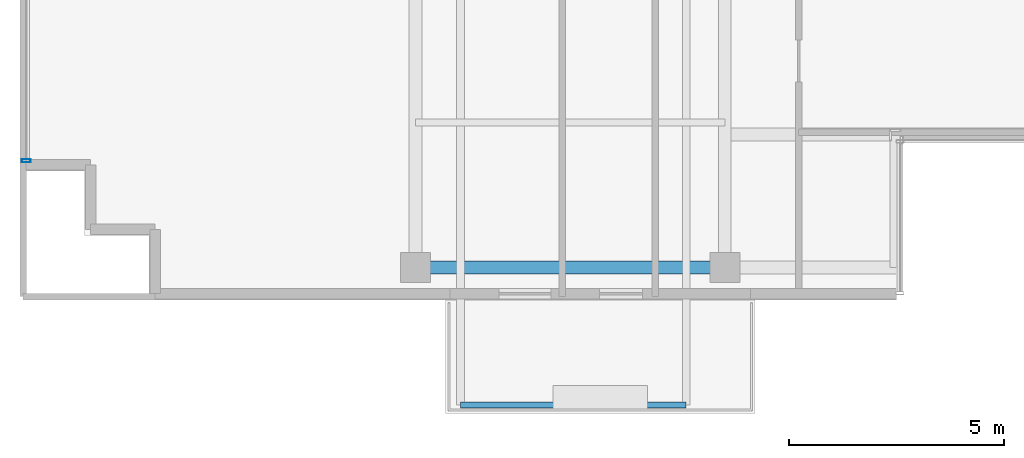
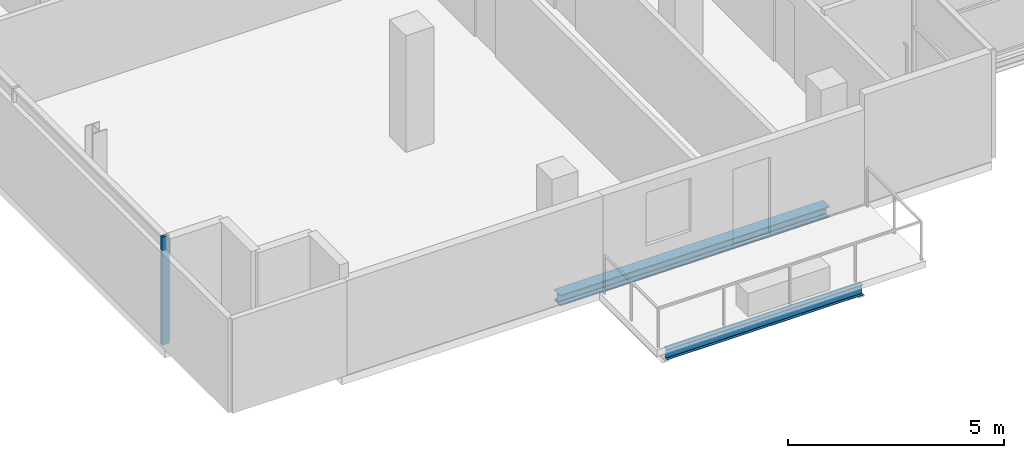
# One storey, part 2 of 22: 2 beams, 1 member, 1 element without a shape of its own.
"""IFC4 building model written with IfcOpenShell, lengths in metres."""

from ifc_helpers import new_model, si_unit, direction, frame, origin, origin_2d, place, context, subcontext, project, spatial, hollow_rectangle, i_section, extrude, source, transform, mapped, material, layer, layer_set, material_profile, profile_set, type_object, element, aggregate, save


model = new_model("IFC4")

# Units and contexts
model_context = context("Model", 3, precision=1e-05, world=origin(), true_north=direction((0.0, 1.0)))
body_context = subcontext(model_context, "Body", "Model", "MODEL_VIEW")
ifc_project = project(units=[si_unit("LENGTHUNIT", "METRE"), si_unit("AREAUNIT", "SQUARE_METRE"), si_unit("VOLUMEUNIT", "CUBIC_METRE"), si_unit("PLANEANGLEUNIT", "RADIAN"), si_unit("MASSUNIT", "GRAM", prefix="KILO")], contexts=[model_context])

# Site, building, storey
site_placement = place(None, origin())
site = spatial("IfcSite", under=ifc_project, at=site_placement, CompositionType="ELEMENT")
building_placement = place(site_placement, origin())
building = spatial("IfcBuilding", under=site, at=building_placement, Name="Zarnakvel Exchange Tower", CompositionType="ELEMENT")
storey_placement = place(building_placement, frame((0.0, 0.0, 225.39990234375)))
storey = spatial("IfcBuildingStorey", under=building, at=storey_placement, Name="L63", CompositionType="ELEMENT", Elevation=225.39990234375)

# Beams
ifc_material_1 = material(Name="Steel S355", Category="steel")
ifc_material_profile_1 = material_profile(ifc_material_1, i_section(OverallWidth=0.14990234375, OverallDepth=0.300048828125, WebThickness=0.007080078125, FlangeThickness=0.0107421875, FilletRadius=0.014892578125, at=origin_2d()))
ifc_profile_set_1 = profile_set([ifc_material_profile_1], Name="Steel S355")
beam_type_1 = type_object("IfcBeamType", Name="B-08", PredefinedType="JOIST", material=ifc_profile_set_1)
beam_1_placement = place(storey_placement, frame((-13.35009765625, -19.550048828125, -0.375), z_axis=(1.0, 0.0, 0.0), x_axis=(0.0, 1.0, 0.0)))
element("IfcBeam", 1, at=beam_1_placement, inside=storey, type_object=beam_type_1, Name="L63 Balcony Edge Beam", PredefinedType="JOIST", context=body_context, shape_type="SweptSolid", body=[
    extrude(i_section(OverallWidth=0.14990234375, OverallDepth=0.300048828125, WebThickness=0.007080078125, FlangeThickness=0.0107421875, FilletRadius=0.014892578125, at=origin_2d()), origin(), (0.0, 0.0, 1.0), 5.25),
])
ifc_material_profile_2 = material_profile(ifc_material_1, i_section(OverallWidth=0.300048828125, OverallDepth=0.300048828125, WebThickness=0.010986328125, FlangeThickness=0.01904296875, FilletRadius=0.027099609375, at=origin_2d()))
ifc_profile_set_2 = profile_set([ifc_material_profile_2], Name="Steel S355")
beam_type_2 = type_object("IfcBeamType", Name="SP-03", PredefinedType="SPANDREL", material=ifc_profile_set_2)
beam_2_placement = place(storey_placement, frame((-14.39990234375, -16.35009765625, -0.375), z_axis=(1.0, 0.0, 0.0), x_axis=(0.0, 1.0, 0.0)))
element("IfcBeam", 2, at=beam_2_placement, inside=storey, type_object=beam_type_2, Name="L63 Tower E-W Frame Beam", PredefinedType="SPANDREL", context=body_context, shape_type="SweptSolid", body=[
    extrude(i_section(OverallWidth=0.300048828125, OverallDepth=0.300048828125, WebThickness=0.010986328125, FlangeThickness=0.01904296875, FilletRadius=0.027099609375, at=origin_2d()), origin(), (0.0, 0.0, 1.0), 7.199951171875),
])

# Curtain wall, member
ifc_material_2 = material(Name="Architectural Bronze Anodised Aluminium", Category="aluminium")
ifc_layer = layer(ifc_material_2, 0.199951171875)
ifc_layer_set = layer_set([ifc_layer], Name="Architectural Bronze Anodised Aluminium")
curtain_wall_type = type_object("IfcCurtainWallType", Name="CW-04", PredefinedType="NOTDEFINED", material=ifc_layer_set)
curtain_wall_placement = place(storey_placement, origin())
curtain_wall = element("IfcCurtainWall", 3, at=curtain_wall_placement, inside=storey, type_object=curtain_wall_type, Name="L63 Curtain Wall CW-L63-W1 (CW-04)", PredefinedType="NOTDEFINED")
ifc_material_profile_3 = material_profile(ifc_material_2, hollow_rectangle(XDim=0.199951171875, YDim=0.074951171875, WallThickness=0.0048828125, at=origin_2d()))
ifc_profile_set_3 = profile_set([ifc_material_profile_3], Name="Architectural Bronze Anodised Aluminium")
member_type = type_object("IfcMemberType", Name="CWM-04", PredefinedType="MULLION", material=ifc_profile_set_3)
shared_shape = source(origin(), body_context, "Body", "SweptSolid", [
    extrude(hollow_rectangle(XDim=0.199951171875, YDim=0.074951171875, WallThickness=0.0048828125, at=origin_2d()), origin(), (0.0, 0.0, 1.0), 3.05517578125),
])
member_placement = place(storey_placement, frame((-23.4599609375, -13.862548828125, 0.0), z_axis=(0.0, 0.0, 1.0), x_axis=(-1.0, 0.0, 0.0)))
member = element("IfcMember", 4, at=member_placement, type_object=member_type, Name="CW-04 mullion 1", PredefinedType="MULLION", context=body_context, shape_type="MappedRepresentation", body=[
    mapped(shared_shape, transform((0.0, 0.0, 0.0), x_axis=(1.0, 0.0, 0.0), y_axis=(0.0, 1.0, 0.0), z_axis=(0.0, 0.0, 1.0), scale=1.0)),
])
aggregate(curtain_wall, [member])

save(model, "model.ifc")
